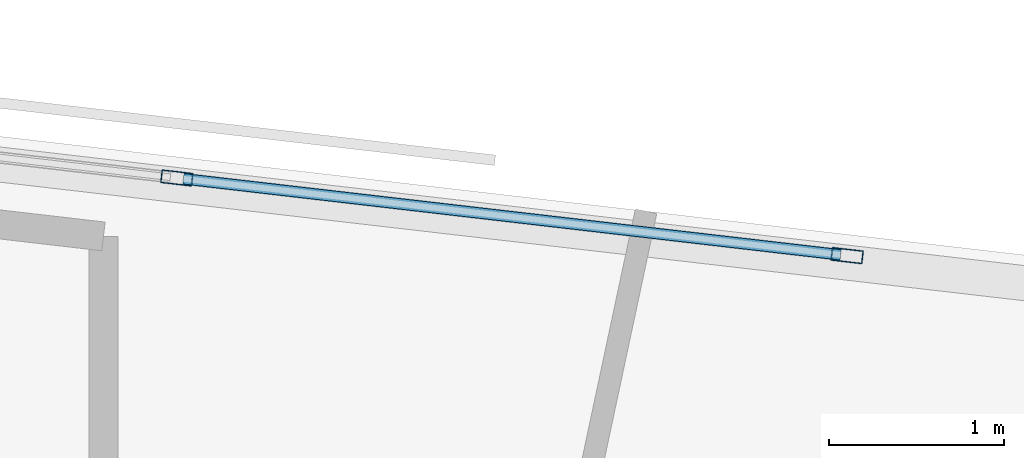
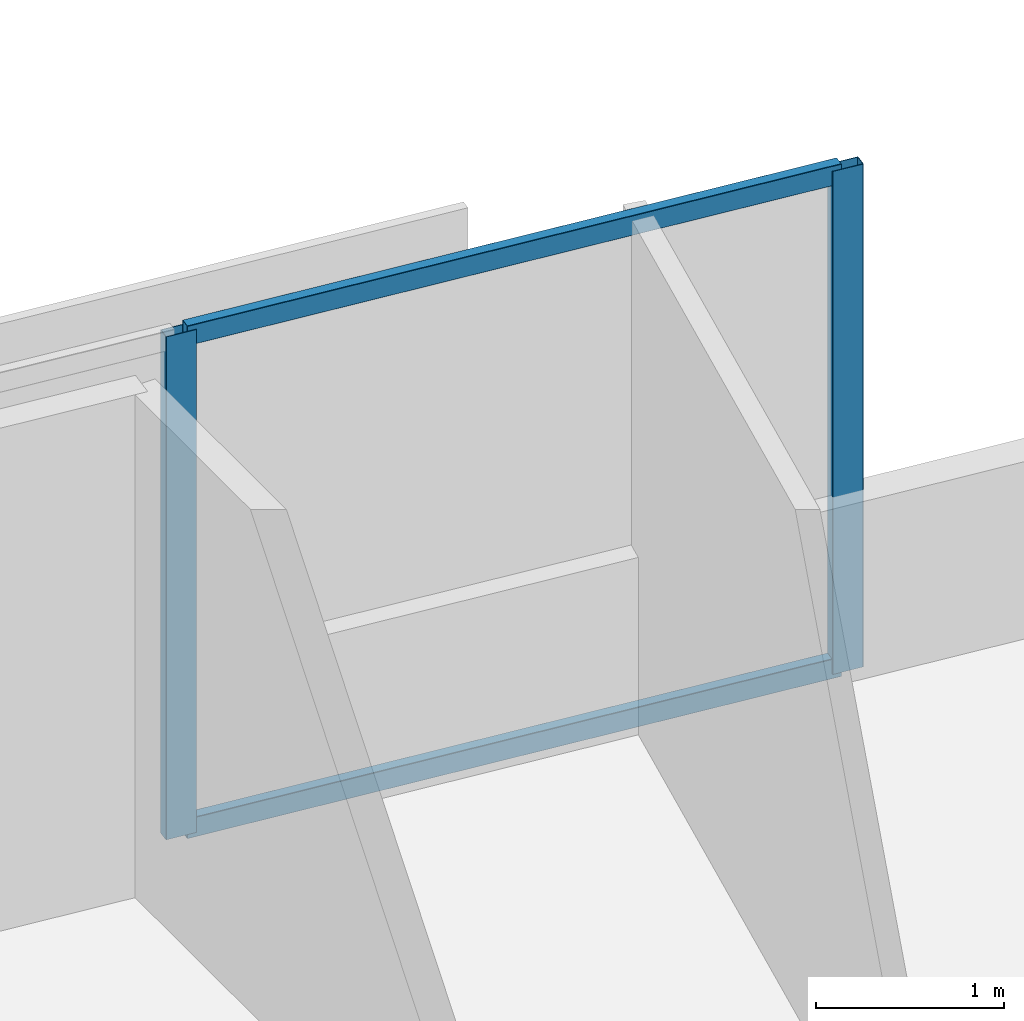
# One storey, part 2 of 13: 4 members, 1 element without a shape of its own.
"""IFC4 building model written with IfcOpenShell, lengths in metres."""

from ifc_helpers import new_model, si_unit, direction, frame, origin, origin_2d, place, context, subcontext, project, spatial, hollow_rectangle, extrude, material, material_profile, profile_set, type_object, element, aggregate, save


model = new_model("IFC4")

# Units and contexts
model_context = context("Model", 3, precision=1e-05, world=origin(), true_north=direction((0.0, 1.0)))
body_context = subcontext(model_context, "Body", "Model", "MODEL_VIEW")
ifc_project = project(units=[si_unit("LENGTHUNIT", "METRE"), si_unit("AREAUNIT", "SQUARE_METRE"), si_unit("VOLUMEUNIT", "CUBIC_METRE"), si_unit("PLANEANGLEUNIT", "RADIAN"), si_unit("MASSUNIT", "GRAM", prefix="KILO")], contexts=[model_context])

# Site, building, storey
site_placement = place(None, origin())
site = spatial("IfcSite", under=ifc_project, at=site_placement, CompositionType="ELEMENT")
building_placement = place(site_placement, origin())
building = spatial("IfcBuilding", under=site, at=building_placement, Name="Narakoshi Arena Tower", CompositionType="ELEMENT")
storey_placement = place(building_placement, frame((0.0, 0.0, 222.02001953125)))
storey = spatial("IfcBuildingStorey", under=building, at=storey_placement, Name="L60", CompositionType="ELEMENT", Elevation=222.02001953125)

# Curtain wall, members
ifc_material = material(Name="Anodised bronze aluminium 6063-T6", Category="aluminium")
curtain_wall_type = type_object("IfcCurtainWallType", Name="CW-HYP-MID", PredefinedType="NOTDEFINED", material=ifc_material)
curtain_wall_placement = place(storey_placement, origin())
curtain_wall = element("IfcCurtainWall", 1, at=curtain_wall_placement, inside=storey, type_object=curtain_wall_type, Name="L60 Folded Hypotenuse Curtain Wall 2-1", PredefinedType="NOTDEFINED")
ifc_material_profile_1 = material_profile(ifc_material, hollow_rectangle(XDim=0.074951171875, YDim=0.179931640625, WallThickness=0.00390625, OuterFilletRadius=0.0048828125, at=origin_2d()), Name="MUL180x75x4")
ifc_profile_set_1 = profile_set([ifc_material_profile_1], Name="Anodised bronze aluminium 6063-T6")
member_type_1 = type_object("IfcMemberType", Name="MEM-MUL-180", PredefinedType="MULLION", material=ifc_profile_set_1)
member_1_placement = place(storey_placement, frame((83.901611328125, 63.554931640625, 0.0), z_axis=(0.0, 0.0, 1.0), x_axis=(-0.115011296816, -0.993364183774, 0.0)))
member_1 = element("IfcMember", 2, at=member_1_placement, type_object=member_type_1, Name="CW-02 mullion 1", PredefinedType="MULLION", context=body_context, shape_type="SweptSolid", body=[
    extrude(hollow_rectangle(XDim=0.074951171875, YDim=0.179931640625, WallThickness=0.00390625, OuterFilletRadius=0.0048828125, at=origin_2d()), origin(), (0.0, 0.0, 1.0), 3.260009765625),
])
member_2_placement = place(storey_placement, frame((80.06982421875, 63.99853515625, 0.0), z_axis=(0.0, 0.0, 1.0), x_axis=(-0.115011296816, -0.993364183774, 0.0)))
member_2 = element("IfcMember", 3, at=member_2_placement, type_object=member_type_1, Name="CW-02 mullion 2", PredefinedType="MULLION", context=body_context, shape_type="SweptSolid", body=[
    extrude(hollow_rectangle(XDim=0.074951171875, YDim=0.179931640625, WallThickness=0.00390625, OuterFilletRadius=0.0048828125, at=origin_2d()), origin(), (0.0, 0.0, 1.0), 3.260009765625),
])
ifc_material_profile_2 = material_profile(ifc_material, hollow_rectangle(XDim=0.06494140625, YDim=0.1298828125, WallThickness=0.00390625, OuterFilletRadius=0.0048828125, at=origin_2d()), Name="TRN130x65x4")
ifc_profile_set_2 = profile_set([ifc_material_profile_2], Name="Anodised bronze aluminium 6063-T6")
member_type_2 = type_object("IfcMemberType", Name="MEM-TRN-130", PredefinedType="USERDEFINED", material=ifc_profile_set_2)
member_3_placement = place(storey_placement, frame((83.864501953125, 63.55908203125, 0.032470703125), z_axis=(-0.993363915753, 0.115013611713, 0.0), x_axis=(-0.115013611713, -0.993363915753, 0.0)))
member_3 = element("IfcMember", 4, at=member_3_placement, type_object=member_type_2, Name="CW-02 transom 1.1", ObjectType="TRANSOM", PredefinedType="USERDEFINED", context=body_context, shape_type="SweptSolid", body=[
    extrude(hollow_rectangle(XDim=0.06494140625, YDim=0.1298828125, WallThickness=0.00390625, OuterFilletRadius=0.0048828125, at=origin_2d()), origin(), (0.0, 0.0, 1.0), 3.78271484375),
])
member_4_placement = place(storey_placement, frame((83.864501953125, 63.55908203125, 3.2275390625), z_axis=(-0.993363915753, 0.115013611713, 0.0), x_axis=(-0.115013611713, -0.993363915753, 0.0)))
member_4 = element("IfcMember", 5, at=member_4_placement, type_object=member_type_2, Name="CW-02 transom 1.2", ObjectType="TRANSOM", PredefinedType="USERDEFINED", context=body_context, shape_type="SweptSolid", body=[
    extrude(hollow_rectangle(XDim=0.06494140625, YDim=0.1298828125, WallThickness=0.00390625, OuterFilletRadius=0.0048828125, at=origin_2d()), origin(), (0.0, 0.0, 1.0), 3.78271484375),
])
aggregate(curtain_wall, [member_1, member_2, member_3, member_4])

save(model, "model.ifc")
